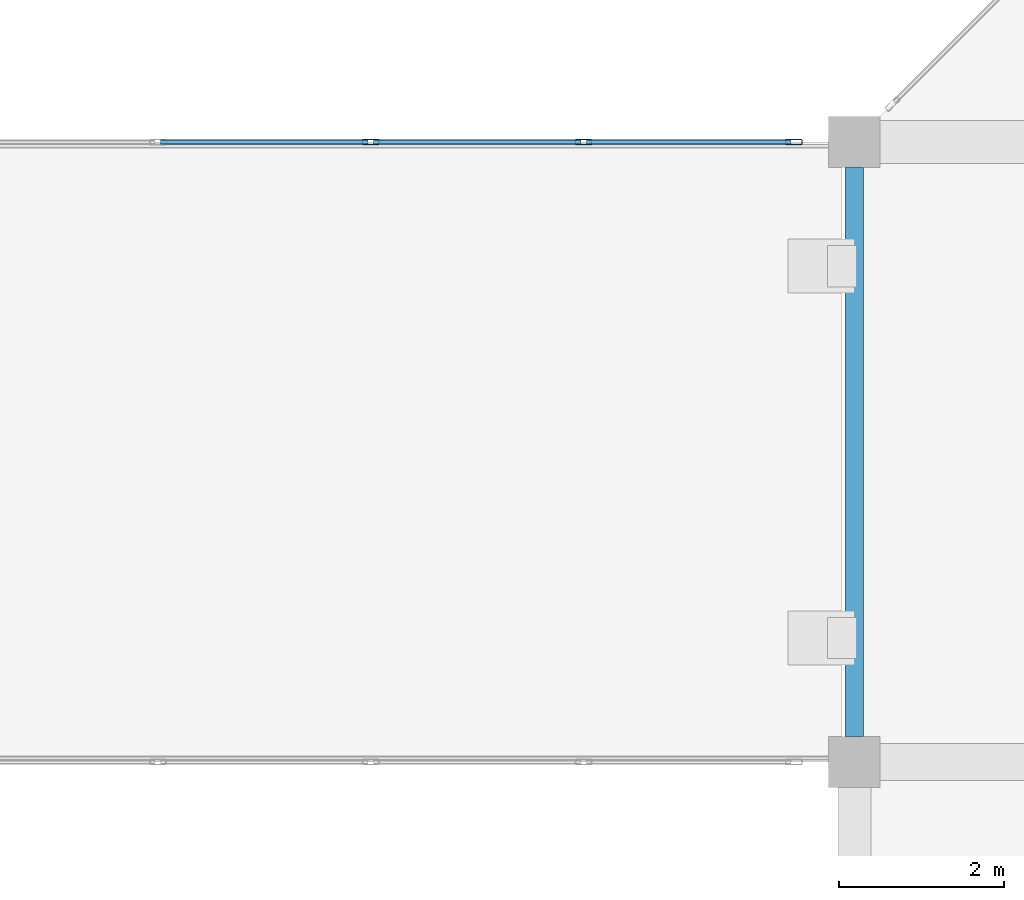
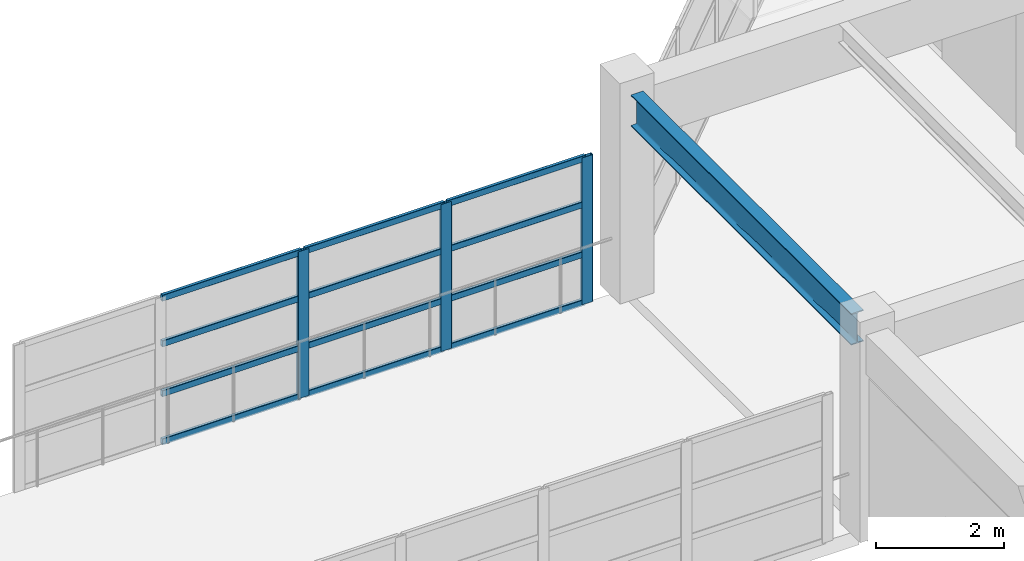
# One storey, part 40 of 132: 15 members, 1 beam, 1 element without a shape of its own.
"""IFC4 building model written with IfcOpenShell, lengths in metres."""

import ifcopenshell
import ifcopenshell.guid

model = None  # the IFC model being written
_history = None  # IfcOwnerHistory: only IFC2X3 demands one
_inside = {}  # id of a spatial element -> (the spatial element, [elements in it])
_under = {}  # id of a project, library or spatial element -> (it, [spatial elements below it])
_declared = {}  # id of a project -> (the project, [libraries it declares])
_typed = {}  # id of a type object -> (the type object, [elements of that type])
_made_of = {}  # id of a material, layer set ... -> (it, [elements and type objects made of it])


def new_model(schema):
    """Start an empty IFC model of exactly this schema.

    Asked for "IFC4X3", IfcOpenShell would pick the latest addendum, in which some entities
    have other attributes; the version numbers below select the first issue.
    IFC2X3 requires an IfcOwnerHistory on every rooted entity: one is made here for all.
    """
    global model, _history
    if schema == "IFC4X3":
        model = ifcopenshell.file(schema_version=(4, 3, 0, 0))
    else:
        model = ifcopenshell.file(schema=schema)
    _inside.clear()
    _under.clear()
    _declared.clear()
    _typed.clear()
    _made_of.clear()
    _history = None
    if model.schema == "IFC2X3":
        org = make("IfcOrganization", Name="unknown")
        user = make(
            "IfcPersonAndOrganization",
            ThePerson=make("IfcPerson", FamilyName="unknown"),
            TheOrganization=org,
        )
        app = make(
            "IfcApplication",
            ApplicationDeveloper=org,
            Version="unknown",
            ApplicationFullName="unknown",
            ApplicationIdentifier="unknown",
        )
        _history = make(
            "IfcOwnerHistory",
            OwningUser=user,
            OwningApplication=app,
            ChangeAction="ADDED",
            CreationDate=0,
        )
    return model


def make(cls, **values):
    """One entity of the class cls with the attributes given. An attribute that is None is left unset."""
    return model.create_entity(
        cls, **{name: value for name, value in values.items() if value is not None}
    )


def rooted(cls, **values):
    """An entity with a GlobalId (a new one), such as an element, a storey or a relation."""
    return make(cls, GlobalId=ifcopenshell.guid.new(), OwnerHistory=_history, **values)


def si_unit(unit_type, name, prefix=None):
    """IfcSIUnit, for example si_unit("LENGTHUNIT", "METRE", prefix="MILLI")."""
    return make("IfcSIUnit", UnitType=unit_type, Prefix=prefix, Name=name)


def assignment(units):
    """IfcUnitAssignment: the units of a project."""
    return None if units is None else make("IfcUnitAssignment", Units=units)


def point(xyz):
    """IfcCartesianPoint."""
    return None if xyz is None else make("IfcCartesianPoint", Coordinates=xyz)


def direction(xyz):
    """IfcDirection."""
    return None if xyz is None else make("IfcDirection", DirectionRatios=xyz)


def frame(location, z_axis=None, x_axis=None):
    """IfcAxis2Placement3D, a coordinate frame: its origin and axes. An axis left out is left unset."""
    return make(
        "IfcAxis2Placement3D",
        Location=point(location),
        Axis=direction(z_axis),
        RefDirection=direction(x_axis),
    )


def frame_2d(location, x_axis=None):
    """IfcAxis2Placement2D, a coordinate frame in the plane: its origin and x axis."""
    return make(
        "IfcAxis2Placement2D", Location=point(location), RefDirection=direction(x_axis)
    )


def origin():
    """The frame at (0, 0, 0) with its axes left unset."""
    return frame((0.0, 0.0, 0.0))


def origin_2d():
    """The frame at (0, 0) in the plane with its x axis left unset."""
    return frame_2d((0.0, 0.0))


def place(relative_to, where):
    """IfcLocalPlacement: puts the frame where relative to a parent placement (None: the world)."""
    return make(
        "IfcLocalPlacement", PlacementRelTo=relative_to, RelativePlacement=where
    )


def context(
    kind, dimensions, precision=None, world=None, true_north=None, identifier=None
):
    """IfcGeometricRepresentationContext, for example the 3D "Model" context."""
    return make(
        "IfcGeometricRepresentationContext",
        ContextIdentifier=identifier,
        ContextType=kind,
        CoordinateSpaceDimension=dimensions,
        Precision=precision,
        WorldCoordinateSystem=world,
        TrueNorth=true_north,
    )


def subcontext(parent, identifier, kind, view, scale=None):
    """IfcGeometricRepresentationSubContext, for example "Body" below "Model"."""
    return make(
        "IfcGeometricRepresentationSubContext",
        ContextIdentifier=identifier,
        ContextType=kind,
        ParentContext=parent,
        TargetScale=scale,
        TargetView=view,
    )


def project(units=None, contexts=None):
    """IfcProject with its units and contexts."""
    return rooted(
        "IfcProject",
        Name="project",
        RepresentationContexts=contexts,
        UnitsInContext=assignment(units),
    )


def spatial(cls, under=None, at=None, **own):
    """A site, building, storey or space (cls), placed at a placement, below another one or the project."""
    s = rooted(cls, ObjectPlacement=at, **own)
    if under is not None:
        _under.setdefault(under.id(), (under, []))[1].append(s)
    return s


def profile(cls, at=None, kind="AREA", **sizes):
    """A parametric profile (cls). Its sizes go by their IFC names, for example OverallWidth=200.0."""
    return make(cls, ProfileType=kind, Position=at, **sizes)


def hollow_rectangle(**sizes):
    """IfcRectangleHollowProfileDef."""
    return profile("IfcRectangleHollowProfileDef", **sizes)


def i_section(**sizes):
    """IfcIShapeProfileDef."""
    return profile("IfcIShapeProfileDef", **sizes)


def extrude(swept, where, along, depth):
    """IfcExtrudedAreaSolid: the profile swept, set in the frame where, extruded along a direction by depth."""
    return make(
        "IfcExtrudedAreaSolid",
        SweptArea=swept,
        Position=where,
        ExtrudedDirection=direction(along),
        Depth=depth,
    )


def shape(context_of_items, identifier, shape_type, items):
    """IfcShapeRepresentation: the items that make up one representation, for example the "Body"."""
    return make(
        "IfcShapeRepresentation",
        ContextOfItems=context_of_items,
        RepresentationIdentifier=identifier,
        RepresentationType=shape_type,
        Items=items,
    )


def material(Name=None, Category=None):
    """IfcMaterial."""
    return make("IfcMaterial", Name=Name, Category=Category)


def material_profile(
    of_material, cross_section, Name=None, Category=None, Priority=None
):
    """IfcMaterialProfile: a cross section and its material."""
    return make(
        "IfcMaterialProfile",
        Name=Name,
        Material=of_material,
        Profile=cross_section,
        Priority=Priority,
        Category=Category,
    )


def profile_set(profiles, Name=None, composite=None):
    """IfcMaterialProfileSet."""
    return make(
        "IfcMaterialProfileSet",
        Name=Name,
        MaterialProfiles=profiles,
        CompositeProfile=composite,
    )


def made_of(thing, what):
    """Note that an element or type object is made of a material, layer set ...; save() writes the relation."""
    if what is not None:
        _made_of.setdefault(what.id(), (what, []))[1].append(thing)
    return thing


def type_object(cls, material=None, **own):
    """A type object (cls), such as IfcWallType, which elements share."""
    return made_of(rooted(cls, **own), material)


def element(
    cls,
    number,
    at=None,
    inside=None,
    cuts=None,
    type_object=None,
    material=None,
    context=None,
    identifier="Body",
    shape_type=None,
    held_by="IfcProductDefinitionShape",
    body=None,
    shapes=None,
    **own,
):
    """One element of the class cls, such as IfcWall. Its Tag is "e" and its number.

    at: its placement. inside: the storey or other place that contains it. cuts: it is an
    opening in that element (IfcRelVoidsElement). A single representation is given by context,
    identifier, shape_type and body (its items); several are given by shapes. held_by: the class
    of the entity that holds the representations. save() writes the other relations.
    """
    e = rooted(cls, Tag="e%d" % number, ObjectPlacement=at, **own)
    if body is not None:
        shapes = [shape(context, identifier, shape_type, body)]
    if shapes is not None:
        e.Representation = make(held_by, Representations=shapes)
    if inside is not None:
        _inside.setdefault(inside.id(), (inside, []))[1].append(e)
    if cuts is not None:
        rooted(
            "IfcRelVoidsElement", RelatingBuildingElement=cuts, RelatedOpeningElement=e
        )
    if type_object is not None:
        _typed.setdefault(type_object.id(), (type_object, []))[1].append(e)
    return made_of(e, material)


def aggregate(whole, parts):
    """IfcRelAggregates: a whole, such as a stair, and the parts it consists of."""
    return rooted("IfcRelAggregates", RelatingObject=whole, RelatedObjects=parts)


def save(model, path):
    """Write the relations noted so far, then the file.

    IfcRelAggregates (storeys below a building ...), IfcRelContainedInSpatialStructure (elements
    in a storey), IfcRelDefinesByType, IfcRelAssociatesMaterial and IfcRelDeclares: one each for
    every whole, place, type object, material and project.
    """
    for whole, parts in _under.values():
        aggregate(whole, parts)
    for where, things in _inside.values():
        rooted(
            "IfcRelContainedInSpatialStructure",
            RelatedElements=things,
            RelatingStructure=where,
        )
    for kind, things in _typed.values():
        rooted("IfcRelDefinesByType", RelatedObjects=things, RelatingType=kind)
    for what, things in _made_of.values():
        rooted("IfcRelAssociatesMaterial", RelatedObjects=things, RelatingMaterial=what)
    for by, libraries in _declared.values():
        rooted("IfcRelDeclares", RelatingContext=by, RelatedDefinitions=libraries)
    model.write(path)


model = new_model("IFC4")

# Units and contexts
model_context = context("Model", 3, precision=1e-05, world=origin(), true_north=direction((0.0, 1.0)))
body_context = subcontext(model_context, "Body", "Model", "MODEL_VIEW")
ifc_project = project(units=[si_unit("LENGTHUNIT", "METRE"), si_unit("AREAUNIT", "SQUARE_METRE"), si_unit("VOLUMEUNIT", "CUBIC_METRE"), si_unit("PLANEANGLEUNIT", "RADIAN"), si_unit("MASSUNIT", "GRAM", prefix="KILO")], contexts=[model_context])

# Site, building, storey
site_placement = place(None, origin())
site = spatial("IfcSite", under=ifc_project, at=site_placement, CompositionType="ELEMENT")
building_placement = place(site_placement, origin())
building = spatial("IfcBuilding", under=site, at=building_placement, Name="Qasida Concert Hall", CompositionType="ELEMENT")
storey_placement = place(building_placement, frame((0.0, 0.0, 4.800048828125)))
storey = spatial("IfcBuildingStorey", under=building, at=storey_placement, Name="L01", CompositionType="ELEMENT", Elevation=4.800048828125)

# Beam
ifc_material_1 = material(Name="Steel S355J2", Category="steel")
ifc_material_profile_1 = material_profile(ifc_material_1, i_section(OverallWidth=0.219970703125, OverallDepth=0.60009765625, WebThickness=0.011962890625, FlangeThickness=0.01904296875, FilletRadius=0.02392578125, at=origin_2d()), Name="IPE 600")
ifc_profile_set_1 = profile_set([ifc_material_profile_1], Name="Steel S355J2")
beam_type = type_object("IfcBeamType", Name="BM-SP3", PredefinedType="SPANDREL", material=ifc_profile_set_1)
beam_placement = place(storey_placement, frame((127.5, 15.31005859375, 3.619873046875), z_axis=(0.0, 1.0, 0.0), x_axis=(-1.0, 0.0, 0.0)))
element("IfcBeam", 1, at=beam_placement, inside=storey, type_object=beam_type, Name="L01 girder 0871", PredefinedType="SPANDREL", context=body_context, shape_type="SweptSolid", body=[
    extrude(i_section(OverallWidth=0.219970703125, OverallDepth=0.60009765625, WebThickness=0.011962890625, FlangeThickness=0.01904296875, FilletRadius=0.02392578125, at=origin_2d()), origin(), (0.0, 0.0, 1.0), 6.8798828125),
])

# Curtain wall, members
ifc_material_2 = material(Name="Architectural bronze-anodized aluminium and low-E glass", Category="aluminium")
curtain_wall_type = type_object("IfcCurtainWallType", Name="CW-07", PredefinedType="NOTDEFINED", material=ifc_material_2)
curtain_wall_placement = place(storey_placement, origin())
curtain_wall = element("IfcCurtainWall", 2, at=curtain_wall_placement, inside=storey, type_object=curtain_wall_type, Name="L01 link bridge glazing 0237", PredefinedType="NOTDEFINED")
ifc_material_3 = material(Name="Architectural bronze-anodized aluminium EN AW-6063", Category="aluminium")
ifc_material_profile_2 = material_profile(ifc_material_3, hollow_rectangle(XDim=0.06494140625, YDim=0.199951171875, WallThickness=0.0048828125, InnerFilletRadius=0.0048828125, OuterFilletRadius=0.010009765625, at=origin_2d()), Name="CWM 200x65x5")
ifc_profile_set_2 = profile_set([ifc_material_profile_2], Name="Architectural bronze-anodized aluminium EN AW-6063")
member_type_1 = type_object("IfcMemberType", Name="MB-CWM-2", PredefinedType="MULLION", material=ifc_profile_set_2)
member_1_placement = place(storey_placement, frame((121.64990234375, 22.5, 0.0), z_axis=(0.0, 0.0, 1.0), x_axis=(0.0, 1.0, 0.0)))
member_1 = element("IfcMember", 3, at=member_1_placement, type_object=member_type_1, Name="CW-07 mullion 3", PredefinedType="MULLION", context=body_context, shape_type="SweptSolid", body=[
    extrude(hollow_rectangle(XDim=0.06494140625, YDim=0.199951171875, WallThickness=0.0048828125, InnerFilletRadius=0.0048828125, OuterFilletRadius=0.010009765625, at=origin_2d()), origin(), (0.0, 0.0, 1.0), 2.800048828125),
])
member_2_placement = place(storey_placement, frame((124.22509765625, 22.5, 0.0), z_axis=(0.0, 0.0, 1.0), x_axis=(0.0, 1.0, 0.0)))
member_2 = element("IfcMember", 4, at=member_2_placement, type_object=member_type_1, Name="CW-07 mullion 4", PredefinedType="MULLION", context=body_context, shape_type="SweptSolid", body=[
    extrude(hollow_rectangle(XDim=0.06494140625, YDim=0.199951171875, WallThickness=0.0048828125, InnerFilletRadius=0.0048828125, OuterFilletRadius=0.010009765625, at=origin_2d()), origin(), (0.0, 0.0, 1.0), 2.800048828125),
])
member_3_placement = place(storey_placement, frame((126.767578125, 22.5, 0.0), z_axis=(0.0, 0.0, 1.0), x_axis=(0.0, 1.0, 0.0)))
member_3 = element("IfcMember", 5, at=member_3_placement, type_object=member_type_1, Name="CW-07 mullion 5", PredefinedType="MULLION", context=body_context, shape_type="SweptSolid", body=[
    extrude(hollow_rectangle(XDim=0.06494140625, YDim=0.199951171875, WallThickness=0.0048828125, InnerFilletRadius=0.0048828125, OuterFilletRadius=0.010009765625, at=origin_2d()), origin(), (0.0, 0.0, 1.0), 2.800048828125),
])
ifc_material_profile_3 = material_profile(ifc_material_3, hollow_rectangle(XDim=0.06005859375, YDim=0.1201171875, WallThickness=0.00390625, InnerFilletRadius=0.00390625, OuterFilletRadius=0.008056640625, at=origin_2d()), Name="CWT 120x60x4")
ifc_profile_set_3 = profile_set([ifc_material_profile_3], Name="Architectural bronze-anodized aluminium EN AW-6063")
member_type_2 = type_object("IfcMemberType", Name="MB-CWT-2", PredefinedType="USERDEFINED", material=ifc_profile_set_3)
member_4_placement = place(storey_placement, frame((119.107421875, 22.5, 0.030029296875), z_axis=(1.0, 0.0, 0.0), x_axis=(0.0, 1.0, 0.0)))
member_4 = element("IfcMember", 6, at=member_4_placement, type_object=member_type_2, Name="CW-07 transom 2.1", ObjectType="TRANSOM", PredefinedType="USERDEFINED", context=body_context, shape_type="SweptSolid", body=[
    extrude(hollow_rectangle(XDim=0.06005859375, YDim=0.1201171875, WallThickness=0.00390625, InnerFilletRadius=0.00390625, OuterFilletRadius=0.008056640625, at=origin_2d()), origin(), (0.0, 0.0, 1.0), 2.510009765625),
])
member_5_placement = place(storey_placement, frame((119.107421875, 22.5, 0.949951171875), z_axis=(1.0, 0.0, 0.0), x_axis=(0.0, 1.0, 0.0)))
member_5 = element("IfcMember", 7, at=member_5_placement, type_object=member_type_2, Name="CW-07 transom 2.2", ObjectType="TRANSOM", PredefinedType="USERDEFINED", context=body_context, shape_type="SweptSolid", body=[
    extrude(hollow_rectangle(XDim=0.06005859375, YDim=0.1201171875, WallThickness=0.00390625, InnerFilletRadius=0.00390625, OuterFilletRadius=0.008056640625, at=origin_2d()), origin(), (0.0, 0.0, 1.0), 2.510009765625),
])
member_6_placement = place(storey_placement, frame((119.107421875, 22.5, 1.89990234375), z_axis=(1.0, 0.0, 0.0), x_axis=(0.0, 1.0, 0.0)))
member_6 = element("IfcMember", 8, at=member_6_placement, type_object=member_type_2, Name="CW-07 transom 2.3", ObjectType="TRANSOM", PredefinedType="USERDEFINED", context=body_context, shape_type="SweptSolid", body=[
    extrude(hollow_rectangle(XDim=0.06005859375, YDim=0.1201171875, WallThickness=0.00390625, InnerFilletRadius=0.00390625, OuterFilletRadius=0.008056640625, at=origin_2d()), origin(), (0.0, 0.0, 1.0), 2.510009765625),
])
member_7_placement = place(storey_placement, frame((119.107421875, 22.5, 2.77001953125), z_axis=(1.0, 0.0, 0.0), x_axis=(0.0, 1.0, 0.0)))
member_7 = element("IfcMember", 9, at=member_7_placement, type_object=member_type_2, Name="CW-07 transom 2.4", ObjectType="TRANSOM", PredefinedType="USERDEFINED", context=body_context, shape_type="SweptSolid", body=[
    extrude(hollow_rectangle(XDim=0.06005859375, YDim=0.1201171875, WallThickness=0.00390625, InnerFilletRadius=0.00390625, OuterFilletRadius=0.008056640625, at=origin_2d()), origin(), (0.0, 0.0, 1.0), 2.510009765625),
])
member_8_placement = place(storey_placement, frame((121.6826171875, 22.5, 0.030029296875), z_axis=(1.0, 0.0, 0.0), x_axis=(0.0, 1.0, 0.0)))
member_8 = element("IfcMember", 10, at=member_8_placement, type_object=member_type_2, Name="CW-07 transom 3.1", ObjectType="TRANSOM", PredefinedType="USERDEFINED", context=body_context, shape_type="SweptSolid", body=[
    extrude(hollow_rectangle(XDim=0.06005859375, YDim=0.1201171875, WallThickness=0.00390625, InnerFilletRadius=0.00390625, OuterFilletRadius=0.008056640625, at=origin_2d()), origin(), (0.0, 0.0, 1.0), 2.509765625),
])
member_9_placement = place(storey_placement, frame((121.6826171875, 22.5, 0.949951171875), z_axis=(1.0, 0.0, 0.0), x_axis=(0.0, 1.0, 0.0)))
member_9 = element("IfcMember", 11, at=member_9_placement, type_object=member_type_2, Name="CW-07 transom 3.2", ObjectType="TRANSOM", PredefinedType="USERDEFINED", context=body_context, shape_type="SweptSolid", body=[
    extrude(hollow_rectangle(XDim=0.06005859375, YDim=0.1201171875, WallThickness=0.00390625, InnerFilletRadius=0.00390625, OuterFilletRadius=0.008056640625, at=origin_2d()), origin(), (0.0, 0.0, 1.0), 2.509765625),
])
member_10_placement = place(storey_placement, frame((121.6826171875, 22.5, 1.89990234375), z_axis=(1.0, 0.0, 0.0), x_axis=(0.0, 1.0, 0.0)))
member_10 = element("IfcMember", 12, at=member_10_placement, type_object=member_type_2, Name="CW-07 transom 3.3", ObjectType="TRANSOM", PredefinedType="USERDEFINED", context=body_context, shape_type="SweptSolid", body=[
    extrude(hollow_rectangle(XDim=0.06005859375, YDim=0.1201171875, WallThickness=0.00390625, InnerFilletRadius=0.00390625, OuterFilletRadius=0.008056640625, at=origin_2d()), origin(), (0.0, 0.0, 1.0), 2.509765625),
])
member_11_placement = place(storey_placement, frame((121.6826171875, 22.5, 2.77001953125), z_axis=(1.0, 0.0, 0.0), x_axis=(0.0, 1.0, 0.0)))
member_11 = element("IfcMember", 13, at=member_11_placement, type_object=member_type_2, Name="CW-07 transom 3.4", ObjectType="TRANSOM", PredefinedType="USERDEFINED", context=body_context, shape_type="SweptSolid", body=[
    extrude(hollow_rectangle(XDim=0.06005859375, YDim=0.1201171875, WallThickness=0.00390625, InnerFilletRadius=0.00390625, OuterFilletRadius=0.008056640625, at=origin_2d()), origin(), (0.0, 0.0, 1.0), 2.509765625),
])
member_12_placement = place(storey_placement, frame((124.257568359375, 22.5, 0.030029296875), z_axis=(1.0, 0.0, 0.0), x_axis=(0.0, 1.0, 0.0)))
member_12 = element("IfcMember", 14, at=member_12_placement, type_object=member_type_2, Name="CW-07 transom 4.1", ObjectType="TRANSOM", PredefinedType="USERDEFINED", context=body_context, shape_type="SweptSolid", body=[
    extrude(hollow_rectangle(XDim=0.06005859375, YDim=0.1201171875, WallThickness=0.00390625, InnerFilletRadius=0.00390625, OuterFilletRadius=0.008056640625, at=origin_2d()), origin(), (0.0, 0.0, 1.0), 2.4775390625),
])
member_13_placement = place(storey_placement, frame((124.257568359375, 22.5, 0.949951171875), z_axis=(1.0, 0.0, 0.0), x_axis=(0.0, 1.0, 0.0)))
member_13 = element("IfcMember", 15, at=member_13_placement, type_object=member_type_2, Name="CW-07 transom 4.2", ObjectType="TRANSOM", PredefinedType="USERDEFINED", context=body_context, shape_type="SweptSolid", body=[
    extrude(hollow_rectangle(XDim=0.06005859375, YDim=0.1201171875, WallThickness=0.00390625, InnerFilletRadius=0.00390625, OuterFilletRadius=0.008056640625, at=origin_2d()), origin(), (0.0, 0.0, 1.0), 2.4775390625),
])
member_14_placement = place(storey_placement, frame((124.257568359375, 22.5, 1.89990234375), z_axis=(1.0, 0.0, 0.0), x_axis=(0.0, 1.0, 0.0)))
member_14 = element("IfcMember", 16, at=member_14_placement, type_object=member_type_2, Name="CW-07 transom 4.3", ObjectType="TRANSOM", PredefinedType="USERDEFINED", context=body_context, shape_type="SweptSolid", body=[
    extrude(hollow_rectangle(XDim=0.06005859375, YDim=0.1201171875, WallThickness=0.00390625, InnerFilletRadius=0.00390625, OuterFilletRadius=0.008056640625, at=origin_2d()), origin(), (0.0, 0.0, 1.0), 2.4775390625),
])
member_15_placement = place(storey_placement, frame((124.257568359375, 22.5, 2.77001953125), z_axis=(1.0, 0.0, 0.0), x_axis=(0.0, 1.0, 0.0)))
member_15 = element("IfcMember", 17, at=member_15_placement, type_object=member_type_2, Name="CW-07 transom 4.4", ObjectType="TRANSOM", PredefinedType="USERDEFINED", context=body_context, shape_type="SweptSolid", body=[
    extrude(hollow_rectangle(XDim=0.06005859375, YDim=0.1201171875, WallThickness=0.00390625, InnerFilletRadius=0.00390625, OuterFilletRadius=0.008056640625, at=origin_2d()), origin(), (0.0, 0.0, 1.0), 2.4775390625),
])
aggregate(curtain_wall, [member_1, member_2, member_3, member_4, member_5, member_6, member_7, member_8, member_9, member_10, member_11, member_12, member_13, member_14, member_15])

save(model, "model.ifc")
